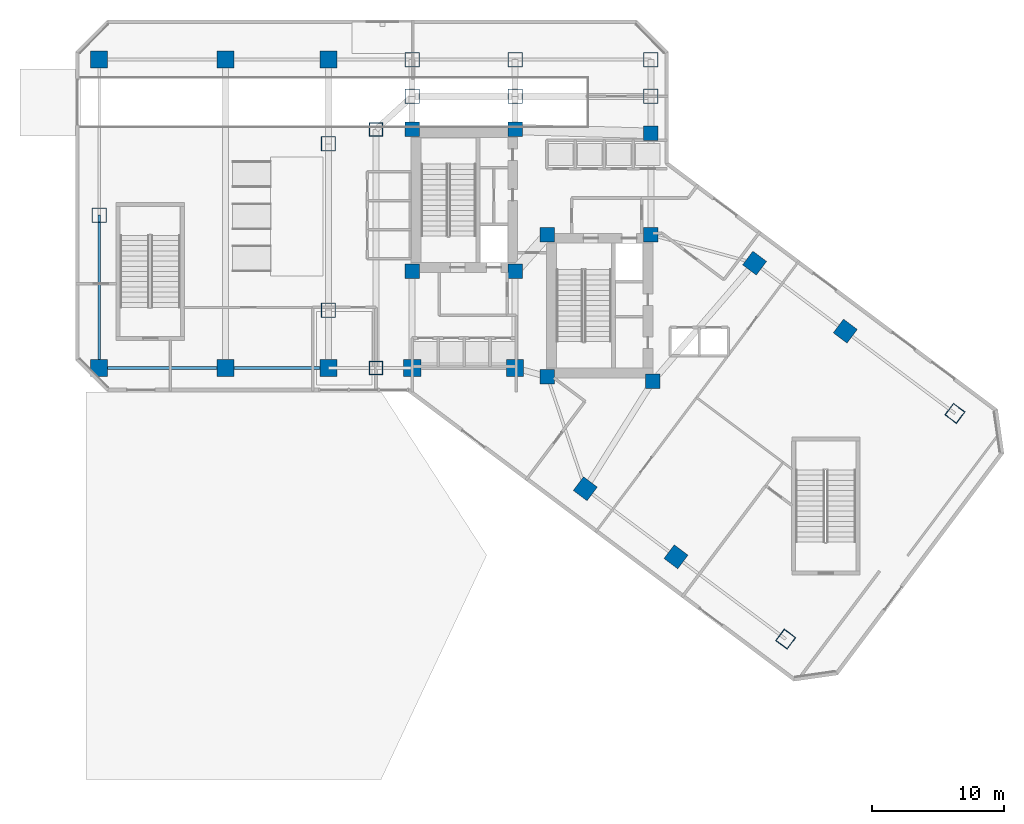
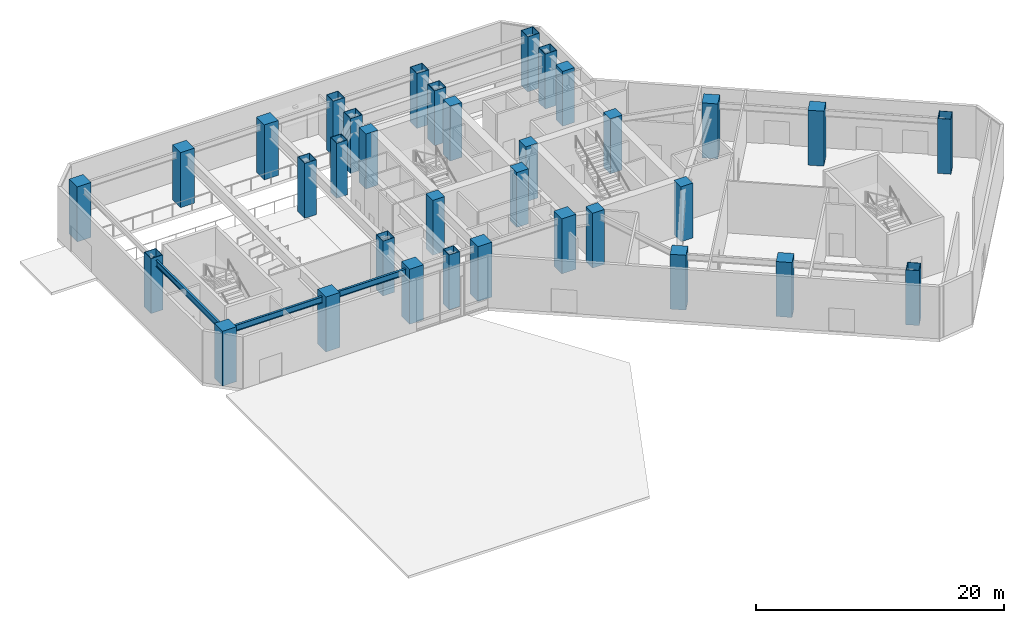
# One storey, part 1 of 13: 34 columns, 3 beams.
"""IFC4 building model written with IfcOpenShell, lengths in metres."""

from ifc_helpers import new_model, si_unit, direction, frame, origin, origin_2d, place, context, subcontext, project, spatial, rectangle, hollow_rectangle, i_section, extrude, material, material_profile, profile_set, type_object, element, save


model = new_model("IFC4")

# Units and contexts
model_context = context("Model", 3, precision=1e-05, world=origin(), true_north=direction((0.0, 1.0)))
body_context = subcontext(model_context, "Body", "Model", "MODEL_VIEW")
ifc_project = project(units=[si_unit("LENGTHUNIT", "METRE"), si_unit("AREAUNIT", "SQUARE_METRE"), si_unit("VOLUMEUNIT", "CUBIC_METRE"), si_unit("PLANEANGLEUNIT", "RADIAN"), si_unit("MASSUNIT", "GRAM", prefix="KILO")], contexts=[model_context])

# Site, building, storey
site_placement = place(None, origin())
site = spatial("IfcSite", under=ifc_project, at=site_placement, CompositionType="ELEMENT")
building_placement = place(site_placement, origin())
building = spatial("IfcBuilding", under=site, at=building_placement, Name="Hatsunagi Terrace Concourse", CompositionType="ELEMENT")
storey_placement = place(building_placement, origin())
storey = spatial("IfcBuildingStorey", under=building, at=storey_placement, Name="L01", CompositionType="ELEMENT", Elevation=0.0)

# Columns
ifc_material_1 = material(Name="Concrete Fc60", Category="concrete")
ifc_material_profile_1 = material_profile(ifc_material_1, rectangle(XDim=1.10009765625, YDim=1.10009765625, at=origin_2d()), Name="RC-1100x1100")
ifc_profile_set_1 = profile_set([ifc_material_profile_1], Name="Concrete Fc60")
column_type_1 = type_object("IfcColumnType", Name="CoreColumn_RC_1100x1100", PredefinedType="COLUMN", material=ifc_profile_set_1)
for number, where, z_axis, x_axis, name in (
    (1, (25.550048828125, 32.550048828125, 0.0), (0.0, 0.0, 1.0), (1.0, 0.0, 0.0), "Column C-01 L01-CASW"),
    (2, (33.35009765625, 32.550048828125, 0.0), (0.0, 0.0, 1.0), (1.0, 0.0, 0.0), "Column C-01 L01-CASE"),
    (3, (25.550048828125, 43.300048828125, 0.0), (0.0, 0.0, 1.0), (1.0, 0.0, 0.0), "Column C-01 L01-CANW"),
    (4, (33.35009765625, 43.300048828125, 0.0), (0.0, 0.0, 1.0), (1.0, 0.0, 0.0), "Column C-01 L01-CANE"),
    (5, (35.800048828125, 24.550048828125, 0.0), (0.0, 0.0, 1.0), (1.0, 0.0, 0.0), "Column C-01 L01-CBSW"),
    (6, (43.800048828125, 24.199951171875, 0.0), (0.0, 0.0, 1.0), (1.0, 0.0, 0.0), "Column C-01 L01-CBSE"),
    (7, (35.800048828125, 35.300048828125, 0.0), (0.0, 0.0, 1.0), (1.0, 0.0, 0.0), "Column C-01 L01-CBNW"),
    (8, (43.64990234375, 35.300048828125, 0.0), (0.0, 0.0, 1.0), (1.0, 0.0, 0.0), "Column C-01 L01-CBNE"),
    (9, (43.64990234375, 43.0, 0.0), (0.0, 0.0, 1.0), (1.0, 0.0, 0.0), "Column C-01 L01-K3"),
):
    element("IfcColumn", number, at=place(storey_placement, frame(where, z_axis=z_axis, x_axis=x_axis)), inside=storey, type_object=column_type_1, Name=name, PredefinedType="COLUMN", context=body_context, shape_type="SweptSolid", body=[
        extrude(rectangle(XDim=1.10009765625, YDim=1.10009765625, at=origin_2d()), origin(), (0.0, 0.0, 1.0), 5.39990234375),
    ])
ifc_material_2 = material(Name="Steel BCP325T", Category="steel")
ifc_material_profile_2 = material_profile(ifc_material_2, hollow_rectangle(XDim=1.10009765625, YDim=1.10009765625, WallThickness=0.0400390625, at=origin_2d()), Name="BCP-1100x1100x40")
ifc_profile_set_2 = profile_set([ifc_material_profile_2], Name="Steel BCP325T")
column_type_2 = type_object("IfcColumnType", Name="MegaColumn_BCP_1100x1100x40", PredefinedType="COLUMN", material=ifc_profile_set_2)
for number, where, z_axis, x_axis, name in (
    (10, (25.550048828125, 45.800048828125, 0.0), (0.0, 0.0, 1.0), (1.0, 0.0, 0.0), "Mega column MC-02 L01-CN1"),
    (11, (33.35009765625, 45.800048828125, 0.0), (0.0, 0.0, 1.0), (1.0, 0.0, 0.0), "Mega column MC-02 L01-CN2"),
    (12, (43.64990234375, 45.800048828125, 0.0), (0.0, 0.0, 1.0), (1.0, 0.0, 0.0), "Mega column MC-02 L01-CN3"),
    (13, (1.800048828125, 36.800048828125, 0.0), (0.0, 0.0, 1.0), (1.0, 0.0, 0.0), "Mega column MC-02 L01-WM0"),
    (14, (25.550048828125, 48.60009765625, 0.0), (0.0, 0.0, 1.0), (1.0, 0.0, 0.0), "Mega column MC-02 L01-WN4"),
    (15, (33.35009765625, 48.60009765625, 0.0), (0.0, 0.0, 1.0), (1.0, 0.0, 0.0), "Mega column MC-02 L01-WN5"),
    (16, (43.64990234375, 48.60009765625, 0.0), (0.0, 0.0, 1.0), (1.0, 0.0, 0.0), "Mega column MC-02 L01-WN6"),
    (17, (19.199951171875, 29.60009765625, 0.0), (0.0, 0.0, 1.0), (1.0, 0.0, 0.0), "Mega column MC-02 L01-WR1"),
    (18, (19.199951171875, 42.199951171875, 0.0), (0.0, 0.0, 1.0), (1.0, 0.0, 0.0), "Mega column MC-02 L01-WR2"),
    (19, (53.8798828125, 4.639892578125, 0.0), (0.0, 0.0, 1.0), (0.799999996291, -0.600000004945, 0.0), "Mega column MC-02 L01-SES3"),
    (20, (66.719970703125, 21.760009765625, 0.0), (0.0, 0.0, 1.0), (0.799999996291, -0.600000004945, 0.0), "Mega column MC-02 L01-SEN3"),
):
    element("IfcColumn", number, at=place(storey_placement, frame(where, z_axis=z_axis, x_axis=x_axis)), inside=storey, type_object=column_type_2, Name=name, PredefinedType="COLUMN", context=body_context, shape_type="SweptSolid", body=[
        extrude(hollow_rectangle(XDim=1.10009765625, YDim=1.10009765625, WallThickness=0.0400390625, at=origin_2d()), origin(), (0.0, 0.0, 1.0), 5.39990234375),
    ])
ifc_material_3 = material(Name="Concrete Fc60", Category="concrete")
ifc_material_profile_3 = material_profile(ifc_material_3, rectangle(XDim=1.300048828125, YDim=1.300048828125, at=origin_2d()), Name="RC-1300x1300")
ifc_profile_set_3 = profile_set([ifc_material_profile_3], Name="Concrete Fc60")
column_type_3 = type_object("IfcColumnType", Name="MegaColumn_RC_1300x1300", PredefinedType="COLUMN", material=ifc_profile_set_3)
for number, where, z_axis, x_axis, name in (
    (21, (25.550048828125, 25.199951171875, 0.0), (0.0, 0.0, 1.0), (1.0, 0.0, 0.0), "Mega column MC-01 L01-K1"),
    (22, (33.35009765625, 25.199951171875, 0.0), (0.0, 0.0, 1.0), (1.0, 0.0, 0.0), "Mega column MC-01 L01-K2"),
    (23, (1.800048828125, 25.199951171875, 0.0), (0.0, 0.0, 1.0), (1.0, 0.0, 0.0), "Mega column MC-01 L01-WS1"),
    (24, (1.800048828125, 48.60009765625, 0.0), (0.0, 0.0, 1.0), (1.0, 0.0, 0.0), "Mega column MC-01 L01-WN1"),
    (25, (11.39990234375, 25.199951171875, 0.0), (0.0, 0.0, 1.0), (1.0, 0.0, 0.0), "Mega column MC-01 L01-WS2"),
    (26, (11.39990234375, 48.60009765625, 0.0), (0.0, 0.0, 1.0), (1.0, 0.0, 0.0), "Mega column MC-01 L01-WN2"),
    (27, (19.199951171875, 48.60009765625, 0.0), (0.0, 0.0, 1.0), (1.0, 0.0, 0.0), "Mega column MC-01 L01-WN3"),
    (28, (19.199951171875, 25.199951171875, 0.0), (0.0, 0.0, 1.0), (1.0, 0.0, 0.0), "Mega column MC-01 L01-WS3"),
    (29, (38.679931640625, 16.0400390625, 0.0), (0.0, 0.0, 1.0), (0.799999996291, -0.600000004945, 0.0), "Mega column MC-01 L01-SES1"),
    (30, (51.52001953125, 33.159912109375, 0.0), (0.0, 0.0, 1.0), (0.799999996291, -0.600000004945, 0.0), "Mega column MC-01 L01-SEN1"),
    (31, (45.56005859375, 10.8798828125, 0.0), (0.0, 0.0, 1.0), (0.799999996291, -0.600000004945, 0.0), "Mega column MC-01 L01-SES2"),
    (32, (58.39990234375, 28.0, 0.0), (0.0, 0.0, 1.0), (0.799999996291, -0.600000004945, 0.0), "Mega column MC-01 L01-SEN2"),
):
    element("IfcColumn", number, at=place(storey_placement, frame(where, z_axis=z_axis, x_axis=x_axis)), inside=storey, type_object=column_type_3, Name=name, PredefinedType="COLUMN", context=body_context, shape_type="SweptSolid", body=[
        extrude(rectangle(XDim=1.300048828125, YDim=1.300048828125, at=origin_2d()), origin(), (0.0, 0.0, 1.0), 5.39990234375),
    ])
ifc_material_4 = material(Name="Steel BCP325T", Category="steel")
ifc_material_profile_4 = material_profile(ifc_material_4, hollow_rectangle(XDim=1.0, YDim=1.0, WallThickness=0.0380859375, at=origin_2d()), Name="BCP-1000x1000x38")
ifc_profile_set_4 = profile_set([ifc_material_profile_4], Name="Steel BCP325T")
column_type_4 = type_object("IfcColumnType", Name="TowerBoxColumn_1000x1000x38", PredefinedType="COLUMN", material=ifc_profile_set_4)
for number, where, z_axis, x_axis, name in (
    (33, (22.800048828125, 25.199951171875, 0.0), (0.0, 0.0, 1.0), (1.0, 0.0, 0.0), "Column C-03 L01-CW1"),
    (34, (22.800048828125, 43.300048828125, 0.0), (0.0, 0.0, 1.0), (1.0, 0.0, 0.0), "Column C-03 L01-CW2"),
):
    element("IfcColumn", number, at=place(storey_placement, frame(where, z_axis=z_axis, x_axis=x_axis)), inside=storey, type_object=column_type_4, Name=name, PredefinedType="COLUMN", context=body_context, shape_type="SweptSolid", body=[
        extrude(hollow_rectangle(XDim=1.0, YDim=1.0, WallThickness=0.0380859375, at=origin_2d()), origin(), (0.0, 0.0, 1.0), 5.39990234375),
    ])

# Beams
ifc_material_5 = material(Name="Steel SN490B", Category="steel")
ifc_material_profile_5 = material_profile(ifc_material_5, i_section(OverallWidth=0.199951171875, OverallDepth=0.60009765625, WebThickness=0.010986328125, FlangeThickness=0.01708984375, FilletRadius=0.01806640625, at=origin_2d()), Name="H-600x200x11x17")
ifc_profile_set_5 = profile_set([ifc_material_profile_5], Name="Steel SN490B")
beam_type = type_object("IfcBeamType", Name="PerimeterSpandrel_H_600x200", PredefinedType="SPANDREL", material=ifc_profile_set_5)
beam_1_placement = place(storey_placement, frame((1.800048828125, 25.199951171875, 4.800048828125), z_axis=(1.0, 0.0, 0.0), x_axis=(0.0, 1.0, 0.0)))
element("IfcBeam", 35, at=beam_1_placement, inside=storey, type_object=beam_type, Name="Beam SP-01 BM-L01-WS-1", PredefinedType="SPANDREL", context=body_context, shape_type="SweptSolid", body=[
    extrude(i_section(OverallWidth=0.199951171875, OverallDepth=0.60009765625, WebThickness=0.010986328125, FlangeThickness=0.01708984375, FilletRadius=0.01806640625, at=origin_2d()), origin(), (0.0, 0.0, 1.0), 9.599853515625),
])
beam_2_placement = place(storey_placement, frame((11.39990234375, 25.199951171875, 4.800048828125), z_axis=(1.0, 0.0, 0.0), x_axis=(0.0, 1.0, 0.0)))
element("IfcBeam", 36, at=beam_2_placement, inside=storey, type_object=beam_type, Name="Beam SP-01 BM-L01-WS-11", PredefinedType="SPANDREL", context=body_context, shape_type="SweptSolid", body=[
    extrude(i_section(OverallWidth=0.199951171875, OverallDepth=0.60009765625, WebThickness=0.010986328125, FlangeThickness=0.01708984375, FilletRadius=0.01806640625, at=origin_2d()), origin(), (0.0, 0.0, 1.0), 7.800048828125),
])
beam_3_placement = place(storey_placement, frame((1.800048828125, 25.199951171875, 4.800048828125), z_axis=(0.0, 1.0, 0.0), x_axis=(-1.0, 0.0, 0.0)))
element("IfcBeam", 37, at=beam_3_placement, inside=storey, type_object=beam_type, Name="Beam SP-01 BM-L01-NS-1-25", PredefinedType="SPANDREL", context=body_context, shape_type="SweptSolid", body=[
    extrude(i_section(OverallWidth=0.199951171875, OverallDepth=0.60009765625, WebThickness=0.010986328125, FlangeThickness=0.01708984375, FilletRadius=0.01806640625, at=origin_2d()), origin(), (0.0, 0.0, 1.0), 11.60009765625),
])

save(model, "model.ifc")
